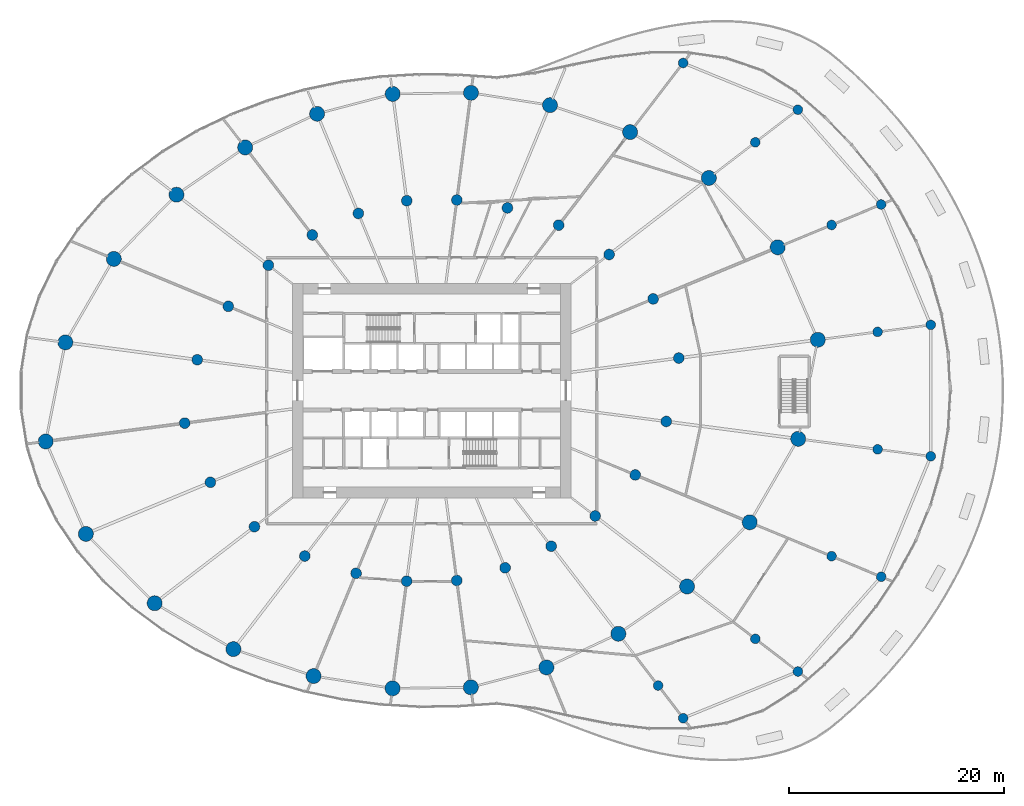
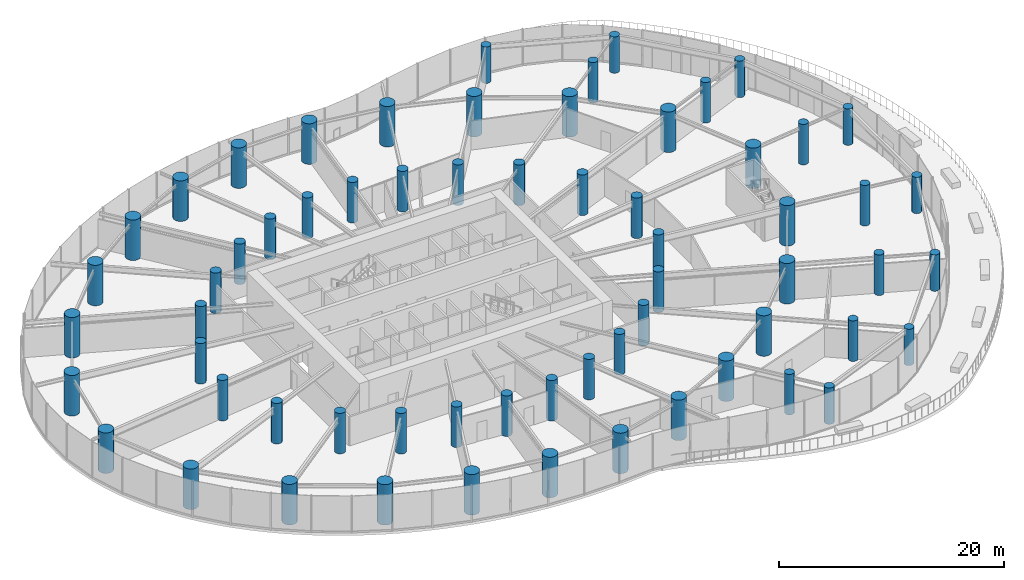
# One storey, part 1 of 21: 63 columns.
"""IFC4 building model written with IfcOpenShell, lengths in metres."""

from ifc_helpers import new_model, si_unit, direction, frame, origin, origin_2d, place, context, subcontext, project, spatial, circle, extrude, source, transform, mapped, material, material_profile, profile_set, type_object, element, save


model = new_model("IFC4")

# Units and contexts
model_context = context("Model", 3, precision=1e-05, world=origin(), true_north=direction((0.0, 1.0)))
body_context = subcontext(model_context, "Body", "Model", "MODEL_VIEW")
ifc_project = project(units=[si_unit("LENGTHUNIT", "METRE"), si_unit("AREAUNIT", "SQUARE_METRE"), si_unit("VOLUMEUNIT", "CUBIC_METRE"), si_unit("PLANEANGLEUNIT", "RADIAN"), si_unit("MASSUNIT", "GRAM", prefix="KILO")], contexts=[model_context])

# Site, building, storey
site_placement = place(None, origin())
site = spatial("IfcSite", under=ifc_project, at=site_placement, CompositionType="ELEMENT")
building_placement = place(site_placement, origin())
building = spatial("IfcBuilding", under=site, at=building_placement, Name="Spindrift Exchange Tower", CompositionType="ELEMENT")
storey_placement = place(building_placement, frame((0.0, 0.0, 9.39990234375)))
storey = spatial("IfcBuildingStorey", under=building, at=storey_placement, Name="L02", CompositionType="ELEMENT", Elevation=9.39990234375)

# Columns
ifc_material_1 = material(Name="Concrete 80 MPa", Category="concrete")
ifc_material_profile_1 = material_profile(ifc_material_1, circle(Radius=0.699951171875, at=origin_2d()), Name="RC D1400")
ifc_profile_set_1 = profile_set([ifc_material_profile_1], Name="Concrete 80 MPa")
column_type_1 = type_object("IfcColumnType", Name="RC Perimeter Column D1400 Concrete 80 MPa", PredefinedType="COLUMN", material=ifc_profile_set_1)
shared_shape_1 = source(origin(), body_context, "Body", "SweptSolid", [
    extrude(circle(Radius=0.699951171875, at=origin_2d()), origin(), (0.0, 0.0, 1.0), 4.400146484375),
])
for number, where, z_axis, x_axis, name in (
    (1, (87.990478515625, 52.73828125, 0.0), (0.0, 0.0, 1.0), (1.0, 0.0, 0.0), "Perimeter column P1-01 L02"),
    (2, (84.248779296875, 61.35791015625, 0.0), (0.0, 0.0, 1.0), (1.0, 0.0, 0.0), "Perimeter column P1-02 L02"),
    (3, (77.835693359375, 67.82421875, 0.0), (0.0, 0.0, 1.0), (1.0, 0.0, 0.0), "Perimeter column P1-03 L02"),
    (4, (70.4921875, 72.099609375, 0.0), (0.0, 0.0, 1.0), (1.0, 0.0, 0.0), "Perimeter column P1-04 L02"),
    (5, (63.022705078125, 74.611328125, 0.0), (0.0, 0.0, 1.0), (1.0, 0.0, 0.0), "Perimeter column P1-05 L02"),
    (6, (55.65478515625, 75.761474609375, 0.0), (0.0, 0.0, 1.0), (1.0, 0.0, 0.0), "Perimeter column P1-06 L02"),
    (7, (48.3583984375, 75.661376953125, 0.0), (0.0, 0.0, 1.0), (1.0, 0.0, 0.0), "Perimeter column P1-07 L02"),
    (8, (41.309814453125, 73.80859375, 0.0), (0.0, 0.0, 1.0), (1.0, 0.0, 0.0), "Perimeter column P1-08 L02"),
    (9, (34.603515625, 70.671630859375, 0.0), (0.0, 0.0, 1.0), (1.0, 0.0, 0.0), "Perimeter column P1-09 L02"),
    (10, (28.199462890625, 66.2626953125, 0.0), (0.0, 0.0, 1.0), (1.0, 0.0, 0.0), "Perimeter column P1-10 L02"),
    (11, (22.35546875, 60.279296875, 0.0), (0.0, 0.0, 1.0), (1.0, 0.0, 0.0), "Perimeter column P1-11 L02"),
    (12, (17.8388671875, 52.497314453125, 0.0), (0.0, 0.0, 1.0), (1.0, 0.0, 0.0), "Perimeter column P1-12 L02"),
    (13, (16.009521484375, 43.26171875, 0.0), (0.0, 0.0, 1.0), (1.0, 0.0, 0.0), "Perimeter column P1-13 L02"),
    (14, (19.751220703125, 34.64208984375, 0.0), (0.0, 0.0, 1.0), (1.0, 0.0, 0.0), "Perimeter column P1-14 L02"),
    (15, (26.164306640625, 28.17578125, 0.0), (0.0, 0.0, 1.0), (1.0, 0.0, 0.0), "Perimeter column P1-15 L02"),
    (16, (33.5078125, 23.900390625, 0.0), (0.0, 0.0, 1.0), (1.0, 0.0, 0.0), "Perimeter column P1-16 L02"),
    (17, (40.977294921875, 21.388671875, 0.0), (0.0, 0.0, 1.0), (1.0, 0.0, 0.0), "Perimeter column P1-17 L02"),
    (18, (48.34521484375, 20.238525390625, 0.0), (0.0, 0.0, 1.0), (1.0, 0.0, 0.0), "Perimeter column P1-18 L02"),
    (19, (55.6416015625, 20.338623046875, 0.0), (0.0, 0.0, 1.0), (1.0, 0.0, 0.0), "Perimeter column P1-19 L02"),
    (20, (62.690185546875, 22.19140625, 0.0), (0.0, 0.0, 1.0), (1.0, 0.0, 0.0), "Perimeter column P1-20 L02"),
    (21, (69.396484375, 25.328369140625, 0.0), (0.0, 0.0, 1.0), (1.0, 0.0, 0.0), "Perimeter column P1-21 L02"),
    (22, (75.800537109375, 29.7373046875, 0.0), (0.0, 0.0, 1.0), (1.0, 0.0, 0.0), "Perimeter column P1-22 L02"),
    (23, (81.64453125, 35.720703125, 0.0), (0.0, 0.0, 1.0), (1.0, 0.0, 0.0), "Perimeter column P1-23 L02"),
    (24, (86.1611328125, 43.502685546875, 0.0), (0.0, 0.0, 1.0), (1.0, 0.0, 0.0), "Perimeter column P1-24 L02"),
):
    element("IfcColumn", number, at=place(storey_placement, frame(where, z_axis=z_axis, x_axis=x_axis)), inside=storey, type_object=column_type_1, Name=name, PredefinedType="COLUMN", context=body_context, shape_type="MappedRepresentation", body=[
        mapped(shared_shape_1, transform((0.0, 0.0, 0.0), scale=1.0)),
    ])
ifc_material_profile_2 = material_profile(ifc_material_1, circle(Radius=0.5, at=origin_2d()), Name="RC D1000")
ifc_profile_set_2 = profile_set([ifc_material_profile_2], Name="Concrete 80 MPa")
column_type_2 = type_object("IfcColumnType", Name="RC Inner Column D1000 Concrete 80 MPa", PredefinedType="COLUMN", material=ifc_profile_set_2)
shared_shape_2 = source(origin(), body_context, "Body", "SweptSolid", [
    extrude(circle(Radius=0.5, at=origin_2d()), origin(), (0.0, 0.0, 1.0), 4.400146484375),
])
for number, where, z_axis, x_axis, name in (
    (25, (75.033935546875, 51.032470703125, 0.0), (0.0, 0.0, 1.0), (1.0, 0.0, 0.0), "Inner column Q1-01 L02"),
    (26, (72.639404296875, 56.549072265625, 0.0), (0.0, 0.0, 1.0), (1.0, 0.0, 0.0), "Inner column Q1-02 L02"),
    (27, (68.534912109375, 60.6875, 0.0), (0.0, 0.0, 1.0), (1.0, 0.0, 0.0), "Inner column Q1-03 L02"),
    (28, (63.835205078125, 63.423828125, 0.0), (0.0, 0.0, 1.0), (1.0, 0.0, 0.0), "Inner column Q1-04 L02"),
    (29, (59.0546875, 65.03125, 0.0), (0.0, 0.0, 1.0), (1.0, 0.0, 0.0), "Inner column Q1-05 L02"),
    (30, (54.339111328125, 65.767333984375, 0.0), (0.0, 0.0, 1.0), (1.0, 0.0, 0.0), "Inner column Q1-06 L02"),
    (31, (49.669189453125, 65.703125, 0.0), (0.0, 0.0, 1.0), (1.0, 0.0, 0.0), "Inner column Q1-07 L02"),
    (32, (45.158203125, 64.517578125, 0.0), (0.0, 0.0, 1.0), (1.0, 0.0, 0.0), "Inner column Q1-08 L02"),
    (33, (40.8662109375, 62.510009765625, 0.0), (0.0, 0.0, 1.0), (1.0, 0.0, 0.0), "Inner column Q1-09 L02"),
    (34, (36.767578125, 59.688232421875, 0.0), (0.0, 0.0, 1.0), (1.0, 0.0, 0.0), "Inner column Q1-10 L02"),
    (35, (33.027587890625, 55.858642578125, 0.0), (0.0, 0.0, 1.0), (1.0, 0.0, 0.0), "Inner column Q1-11 L02"),
    (36, (30.13671875, 50.87841796875, 0.0), (0.0, 0.0, 1.0), (1.0, 0.0, 0.0), "Inner column Q1-12 L02"),
    (37, (28.966064453125, 44.967529296875, 0.0), (0.0, 0.0, 1.0), (1.0, 0.0, 0.0), "Inner column Q1-13 L02"),
    (38, (31.360595703125, 39.450927734375, 0.0), (0.0, 0.0, 1.0), (1.0, 0.0, 0.0), "Inner column Q1-14 L02"),
    (39, (35.465087890625, 35.3125, 0.0), (0.0, 0.0, 1.0), (1.0, 0.0, 0.0), "Inner column Q1-15 L02"),
    (40, (40.164794921875, 32.576171875, 0.0), (0.0, 0.0, 1.0), (1.0, 0.0, 0.0), "Inner column Q1-16 L02"),
    (41, (44.9453125, 30.96875, 0.0), (0.0, 0.0, 1.0), (1.0, 0.0, 0.0), "Inner column Q1-17 L02"),
    (42, (49.660888671875, 30.232666015625, 0.0), (0.0, 0.0, 1.0), (1.0, 0.0, 0.0), "Inner column Q1-18 L02"),
    (43, (54.330810546875, 30.296875, 0.0), (0.0, 0.0, 1.0), (1.0, 0.0, 0.0), "Inner column Q1-19 L02"),
    (44, (58.841796875, 31.482421875, 0.0), (0.0, 0.0, 1.0), (1.0, 0.0, 0.0), "Inner column Q1-20 L02"),
    (45, (63.1337890625, 33.489990234375, 0.0), (0.0, 0.0, 1.0), (1.0, 0.0, 0.0), "Inner column Q1-21 L02"),
    (46, (67.232421875, 36.311767578125, 0.0), (0.0, 0.0, 1.0), (1.0, 0.0, 0.0), "Inner column Q1-22 L02"),
    (47, (70.972412109375, 40.141357421875, 0.0), (0.0, 0.0, 1.0), (1.0, 0.0, 0.0), "Inner column Q1-23 L02"),
    (48, (73.86328125, 45.12158203125, 0.0), (0.0, 0.0, 1.0), (1.0, 0.0, 0.0), "Inner column Q1-24 L02"),
):
    element("IfcColumn", number, at=place(storey_placement, frame(where, z_axis=z_axis, x_axis=x_axis)), inside=storey, type_object=column_type_2, Name=name, PredefinedType="COLUMN", context=body_context, shape_type="MappedRepresentation", body=[
        mapped(shared_shape_2, transform((0.0, 0.0, 0.0), scale=1.0)),
    ])
ifc_material_2 = material(Name="Concrete 50 MPa", Category="concrete")
ifc_material_profile_3 = material_profile(ifc_material_2, circle(Radius=0.449951171875, at=origin_2d()), Name="RC D900")
ifc_profile_set_3 = profile_set([ifc_material_profile_3], Name="Concrete 50 MPa")
column_type_3 = type_object("IfcColumnType", Name="RC Cascade Column D900 Concrete 50 MPa", PredefinedType="COLUMN", material=ifc_profile_set_3)
shared_shape_3 = source(origin(), body_context, "Body", "SweptSolid", [
    extrude(circle(Radius=0.449951171875, at=origin_2d()), origin(), (0.0, 0.0, 1.0), 3.9501953125),
])
for number, where, z_axis, x_axis, name in (
    (49, (98.5224609375, 54.124755859375, 0.0), (0.0, 0.0, 1.0), (1.0, 0.0, 0.0), "Cascade column G2-01 L02"),
    (50, (93.893798828125, 65.35302734375, 0.0), (0.0, 0.0, 1.0), (1.0, 0.0, 0.0), "Cascade column G2-02 L02"),
    (51, (86.13134765625, 74.189697265625, 0.0), (0.0, 0.0, 1.0), (1.0, 0.0, 0.0), "Cascade column G2-03 L02"),
    (52, (75.436279296875, 78.542724609375, 0.0), (0.0, 0.0, 1.0), (1.0, 0.0, 0.0), "Cascade column G2-04 L02"),
    (53, (75.436279296875, 17.457275390625, 0.0), (0.0, 0.0, 1.0), (1.0, 0.0, 0.0), "Cascade column G2-21 L02"),
    (54, (86.13134765625, 21.810302734375, 0.0), (0.0, 0.0, 1.0), (1.0, 0.0, 0.0), "Cascade column G2-22 L02"),
    (55, (93.893798828125, 30.64697265625, 0.0), (0.0, 0.0, 1.0), (1.0, 0.0, 0.0), "Cascade column G2-23 L02"),
    (56, (98.5224609375, 41.875244140625, 0.0), (0.0, 0.0, 1.0), (1.0, 0.0, 0.0), "Cascade column G2-24 L02"),
):
    element("IfcColumn", number, at=place(storey_placement, frame(where, z_axis=z_axis, x_axis=x_axis)), inside=storey, type_object=column_type_3, Name=name, PredefinedType="COLUMN", context=body_context, shape_type="MappedRepresentation", body=[
        mapped(shared_shape_3, transform((0.0, 0.0, 0.0), scale=1.0)),
    ])
shared_shape_4 = source(origin(), body_context, "Body", "SweptSolid", [
    extrude(circle(Radius=0.449951171875, at=origin_2d()), origin(), (0.0, 0.0, 1.0), 4.400146484375),
])
for number, where, z_axis, x_axis, name in (
    (57, (93.565185546875, 53.47216796875, 0.0), (0.0, 0.0, 1.0), (1.0, 0.0, 0.0), "Cascade column G3-01 L02"),
    (58, (89.274658203125, 63.439697265625, 0.0), (0.0, 0.0, 1.0), (1.0, 0.0, 0.0), "Cascade column G3-02 L02"),
    (59, (82.16455078125, 71.14599609375, 0.0), (0.0, 0.0, 1.0), (1.0, 0.0, 0.0), "Cascade column G3-03 L02"),
    (60, (73.099609375, 20.502685546875, 0.0), (0.0, 0.0, 1.0), (1.0, 0.0, 0.0), "Cascade column G3-21 L02"),
    (61, (82.16455078125, 24.85400390625, 0.0), (0.0, 0.0, 1.0), (1.0, 0.0, 0.0), "Cascade column G3-22 L02"),
    (62, (89.274658203125, 32.560302734375, 0.0), (0.0, 0.0, 1.0), (1.0, 0.0, 0.0), "Cascade column G3-23 L02"),
    (63, (93.565185546875, 42.52783203125, 0.0), (0.0, 0.0, 1.0), (1.0, 0.0, 0.0), "Cascade column G3-24 L02"),
):
    element("IfcColumn", number, at=place(storey_placement, frame(where, z_axis=z_axis, x_axis=x_axis)), inside=storey, type_object=column_type_3, Name=name, PredefinedType="COLUMN", context=body_context, shape_type="MappedRepresentation", body=[
        mapped(shared_shape_4, transform((0.0, 0.0, 0.0), scale=1.0)),
    ])

save(model, "model.ifc")
